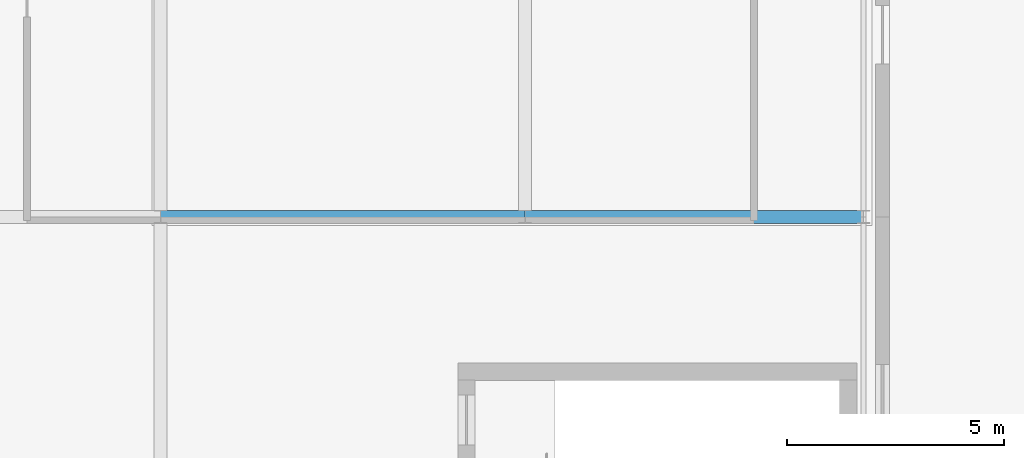
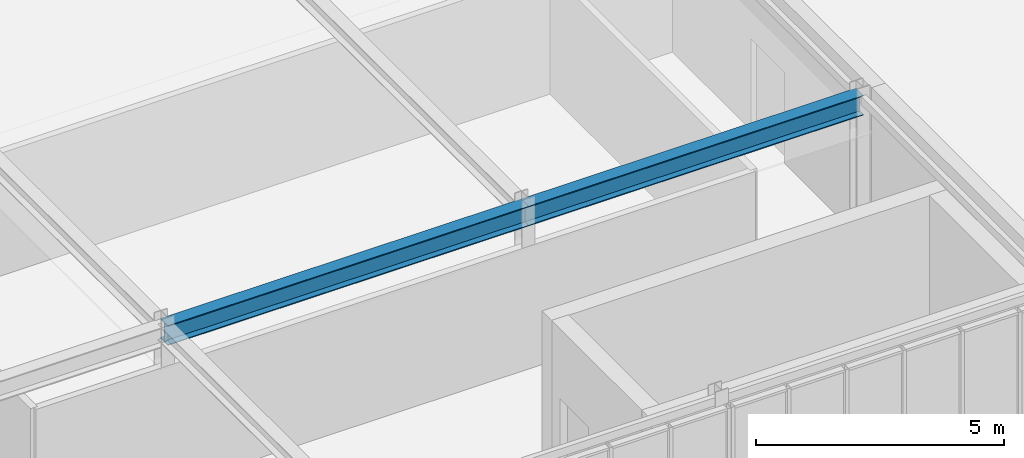
# One storey, part 77 of 127: 2 beams.
"""IFC4 building model written with IfcOpenShell, lengths in metres."""

from ifc_helpers import new_model, si_unit, direction, frame, origin, origin_2d, place, context, subcontext, project, spatial, i_section, extrude, material, material_profile, profile_set, type_object, element, save


model = new_model("IFC4")

# Units and contexts
model_context = context("Model", 3, precision=1e-05, world=origin(), true_north=direction((0.0, 1.0)))
body_context = subcontext(model_context, "Body", "Model", "MODEL_VIEW")
ifc_project = project(units=[si_unit("LENGTHUNIT", "METRE"), si_unit("AREAUNIT", "SQUARE_METRE"), si_unit("VOLUMEUNIT", "CUBIC_METRE"), si_unit("PLANEANGLEUNIT", "RADIAN"), si_unit("MASSUNIT", "GRAM", prefix="KILO")], contexts=[model_context])

# Site, building, storey
site_placement = place(None, origin())
site = spatial("IfcSite", under=ifc_project, at=site_placement, CompositionType="ELEMENT")
building_placement = place(site_placement, origin())
building = spatial("IfcBuilding", under=site, at=building_placement, Name="Zayran Congress Hotel", CompositionType="ELEMENT")
storey_placement = place(building_placement, frame((0.0, 0.0, 10.800048828125)))
storey = spatial("IfcBuildingStorey", under=building, at=storey_placement, Name="L02", CompositionType="ELEMENT", Elevation=10.800048828125)

# Beams
ifc_material = material(Name="Steel S355", Category="steel")
ifc_material_profile = material_profile(ifc_material, i_section(OverallWidth=0.300048828125, OverallDepth=0.489990234375, WebThickness=0.011962890625, FlangeThickness=0.02294921875, at=origin_2d()), Name="HEA 500")
ifc_profile_set = profile_set([ifc_material_profile], Name="Steel S355")
beam_type = type_object("IfcBeamType", Name="TP-BM-05", PredefinedType="BEAM", material=ifc_profile_set)
beam_1_placement = place(storey_placement, frame((168.0, 17.199951171875, 3.7548828125), z_axis=(1.0, 0.0, 0.0), x_axis=(0.0, 1.0, 0.0)))
element("IfcBeam", 1, at=beam_1_placement, inside=storey, type_object=beam_type, Name="BM-V3-L02-1180", PredefinedType="BEAM", context=body_context, shape_type="SweptSolid", body=[
    extrude(i_section(OverallWidth=0.300048828125, OverallDepth=0.489990234375, WebThickness=0.011962890625, FlangeThickness=0.02294921875, at=origin_2d()), origin(), (0.0, 0.0, 1.0), 8.39990234375),
])
beam_2_placement = place(storey_placement, frame((176.39990234375, 17.199951171875, 3.7548828125), z_axis=(1.0, 0.0, 0.0), x_axis=(0.0, 1.0, 0.0)))
element("IfcBeam", 2, at=beam_2_placement, inside=storey, type_object=beam_type, Name="BM-V3-L02-1181", PredefinedType="BEAM", context=body_context, shape_type="SweptSolid", body=[
    extrude(i_section(OverallWidth=0.300048828125, OverallDepth=0.489990234375, WebThickness=0.011962890625, FlangeThickness=0.02294921875, at=origin_2d()), origin(), (0.0, 0.0, 1.0), 7.800048828125),
])

save(model, "model.ifc")
